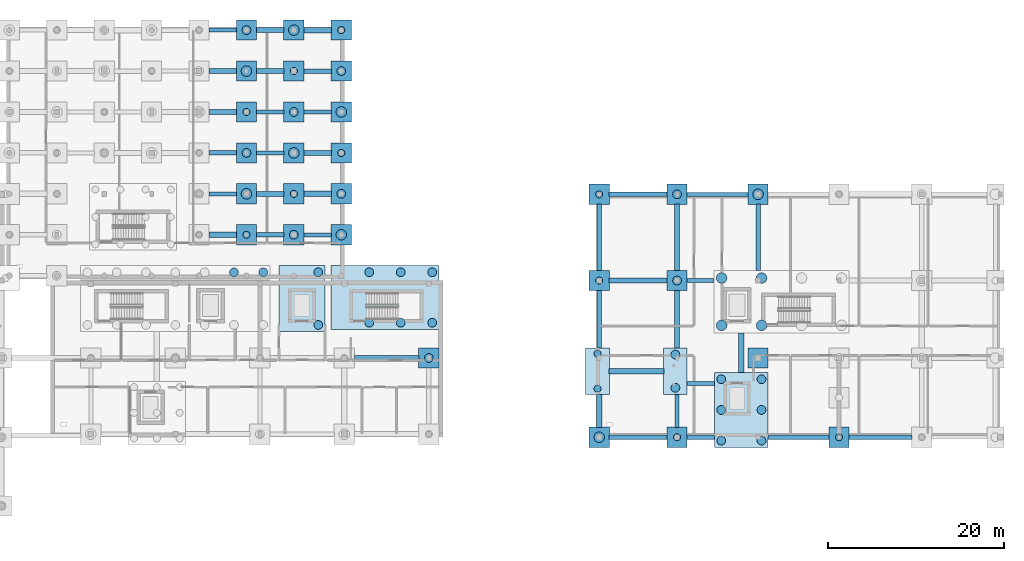
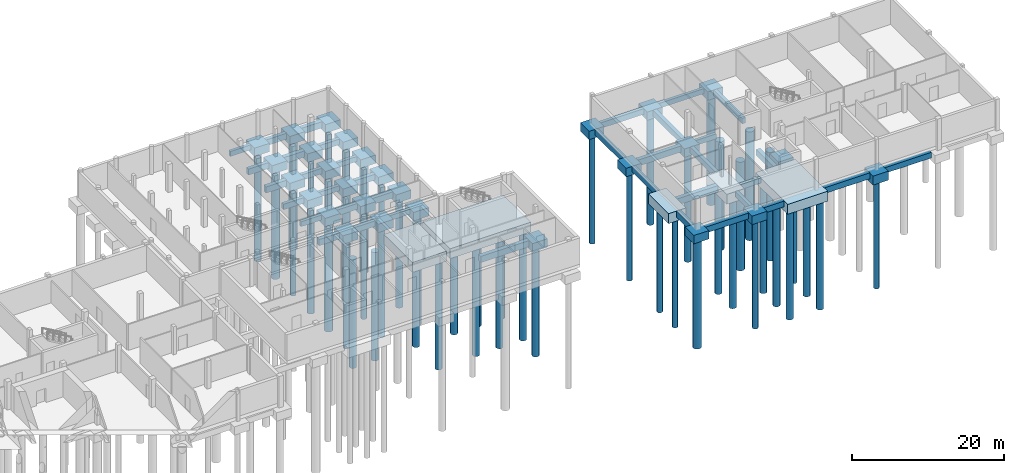
# One storey, part 3 of 14: 70 footings, 51 piles.
"""IFC4 building model written with IfcOpenShell, lengths in metres."""

import ifcopenshell
import ifcopenshell.guid

model = None  # the IFC model being written
_history = None  # IfcOwnerHistory: only IFC2X3 demands one
_inside = {}  # id of a spatial element -> (the spatial element, [elements in it])
_under = {}  # id of a project, library or spatial element -> (it, [spatial elements below it])
_declared = {}  # id of a project -> (the project, [libraries it declares])
_typed = {}  # id of a type object -> (the type object, [elements of that type])
_made_of = {}  # id of a material, layer set ... -> (it, [elements and type objects made of it])


def new_model(schema):
    """Start an empty IFC model of exactly this schema.

    Asked for "IFC4X3", IfcOpenShell would pick the latest addendum, in which some entities
    have other attributes; the version numbers below select the first issue.
    IFC2X3 requires an IfcOwnerHistory on every rooted entity: one is made here for all.
    """
    global model, _history
    if schema == "IFC4X3":
        model = ifcopenshell.file(schema_version=(4, 3, 0, 0))
    else:
        model = ifcopenshell.file(schema=schema)
    _inside.clear()
    _under.clear()
    _declared.clear()
    _typed.clear()
    _made_of.clear()
    _history = None
    if model.schema == "IFC2X3":
        org = make("IfcOrganization", Name="unknown")
        user = make(
            "IfcPersonAndOrganization",
            ThePerson=make("IfcPerson", FamilyName="unknown"),
            TheOrganization=org,
        )
        app = make(
            "IfcApplication",
            ApplicationDeveloper=org,
            Version="unknown",
            ApplicationFullName="unknown",
            ApplicationIdentifier="unknown",
        )
        _history = make(
            "IfcOwnerHistory",
            OwningUser=user,
            OwningApplication=app,
            ChangeAction="ADDED",
            CreationDate=0,
        )
    return model


def make(cls, **values):
    """One entity of the class cls with the attributes given. An attribute that is None is left unset."""
    return model.create_entity(
        cls, **{name: value for name, value in values.items() if value is not None}
    )


def rooted(cls, **values):
    """An entity with a GlobalId (a new one), such as an element, a storey or a relation."""
    return make(cls, GlobalId=ifcopenshell.guid.new(), OwnerHistory=_history, **values)


def si_unit(unit_type, name, prefix=None):
    """IfcSIUnit, for example si_unit("LENGTHUNIT", "METRE", prefix="MILLI")."""
    return make("IfcSIUnit", UnitType=unit_type, Prefix=prefix, Name=name)


def assignment(units):
    """IfcUnitAssignment: the units of a project."""
    return None if units is None else make("IfcUnitAssignment", Units=units)


def point(xyz):
    """IfcCartesianPoint."""
    return None if xyz is None else make("IfcCartesianPoint", Coordinates=xyz)


def direction(xyz):
    """IfcDirection."""
    return None if xyz is None else make("IfcDirection", DirectionRatios=xyz)


def frame(location, z_axis=None, x_axis=None):
    """IfcAxis2Placement3D, a coordinate frame: its origin and axes. An axis left out is left unset."""
    return make(
        "IfcAxis2Placement3D",
        Location=point(location),
        Axis=direction(z_axis),
        RefDirection=direction(x_axis),
    )


def frame_2d(location, x_axis=None):
    """IfcAxis2Placement2D, a coordinate frame in the plane: its origin and x axis."""
    return make(
        "IfcAxis2Placement2D", Location=point(location), RefDirection=direction(x_axis)
    )


def origin():
    """The frame at (0, 0, 0) with its axes left unset."""
    return frame((0.0, 0.0, 0.0))


def origin_2d():
    """The frame at (0, 0) in the plane with its x axis left unset."""
    return frame_2d((0.0, 0.0))


def place(relative_to, where):
    """IfcLocalPlacement: puts the frame where relative to a parent placement (None: the world)."""
    return make(
        "IfcLocalPlacement", PlacementRelTo=relative_to, RelativePlacement=where
    )


def context(
    kind, dimensions, precision=None, world=None, true_north=None, identifier=None
):
    """IfcGeometricRepresentationContext, for example the 3D "Model" context."""
    return make(
        "IfcGeometricRepresentationContext",
        ContextIdentifier=identifier,
        ContextType=kind,
        CoordinateSpaceDimension=dimensions,
        Precision=precision,
        WorldCoordinateSystem=world,
        TrueNorth=true_north,
    )


def subcontext(parent, identifier, kind, view, scale=None):
    """IfcGeometricRepresentationSubContext, for example "Body" below "Model"."""
    return make(
        "IfcGeometricRepresentationSubContext",
        ContextIdentifier=identifier,
        ContextType=kind,
        ParentContext=parent,
        TargetScale=scale,
        TargetView=view,
    )


def project(units=None, contexts=None):
    """IfcProject with its units and contexts."""
    return rooted(
        "IfcProject",
        Name="project",
        RepresentationContexts=contexts,
        UnitsInContext=assignment(units),
    )


def spatial(cls, under=None, at=None, **own):
    """A site, building, storey or space (cls), placed at a placement, below another one or the project."""
    s = rooted(cls, ObjectPlacement=at, **own)
    if under is not None:
        _under.setdefault(under.id(), (under, []))[1].append(s)
    return s


def profile(cls, at=None, kind="AREA", **sizes):
    """A parametric profile (cls). Its sizes go by their IFC names, for example OverallWidth=200.0."""
    return make(cls, ProfileType=kind, Position=at, **sizes)


def rectangle(**sizes):
    """IfcRectangleProfileDef."""
    return profile("IfcRectangleProfileDef", **sizes)


def circle(**sizes):
    """IfcCircleProfileDef."""
    return profile("IfcCircleProfileDef", **sizes)


def extrude(swept, where, along, depth):
    """IfcExtrudedAreaSolid: the profile swept, set in the frame where, extruded along a direction by depth."""
    return make(
        "IfcExtrudedAreaSolid",
        SweptArea=swept,
        Position=where,
        ExtrudedDirection=direction(along),
        Depth=depth,
    )


def shape(context_of_items, identifier, shape_type, items):
    """IfcShapeRepresentation: the items that make up one representation, for example the "Body"."""
    return make(
        "IfcShapeRepresentation",
        ContextOfItems=context_of_items,
        RepresentationIdentifier=identifier,
        RepresentationType=shape_type,
        Items=items,
    )


def material(Name=None, Category=None):
    """IfcMaterial."""
    return make("IfcMaterial", Name=Name, Category=Category)


def material_profile(
    of_material, cross_section, Name=None, Category=None, Priority=None
):
    """IfcMaterialProfile: a cross section and its material."""
    return make(
        "IfcMaterialProfile",
        Name=Name,
        Material=of_material,
        Profile=cross_section,
        Priority=Priority,
        Category=Category,
    )


def profile_set(profiles, Name=None, composite=None):
    """IfcMaterialProfileSet."""
    return make(
        "IfcMaterialProfileSet",
        Name=Name,
        MaterialProfiles=profiles,
        CompositeProfile=composite,
    )


def made_of(thing, what):
    """Note that an element or type object is made of a material, layer set ...; save() writes the relation."""
    if what is not None:
        _made_of.setdefault(what.id(), (what, []))[1].append(thing)
    return thing


def type_object(cls, material=None, **own):
    """A type object (cls), such as IfcWallType, which elements share."""
    return made_of(rooted(cls, **own), material)


def element(
    cls,
    number,
    at=None,
    inside=None,
    cuts=None,
    type_object=None,
    material=None,
    context=None,
    identifier="Body",
    shape_type=None,
    held_by="IfcProductDefinitionShape",
    body=None,
    shapes=None,
    **own,
):
    """One element of the class cls, such as IfcWall. Its Tag is "e" and its number.

    at: its placement. inside: the storey or other place that contains it. cuts: it is an
    opening in that element (IfcRelVoidsElement). A single representation is given by context,
    identifier, shape_type and body (its items); several are given by shapes. held_by: the class
    of the entity that holds the representations. save() writes the other relations.
    """
    e = rooted(cls, Tag="e%d" % number, ObjectPlacement=at, **own)
    if body is not None:
        shapes = [shape(context, identifier, shape_type, body)]
    if shapes is not None:
        e.Representation = make(held_by, Representations=shapes)
    if inside is not None:
        _inside.setdefault(inside.id(), (inside, []))[1].append(e)
    if cuts is not None:
        rooted(
            "IfcRelVoidsElement", RelatingBuildingElement=cuts, RelatedOpeningElement=e
        )
    if type_object is not None:
        _typed.setdefault(type_object.id(), (type_object, []))[1].append(e)
    return made_of(e, material)


def aggregate(whole, parts):
    """IfcRelAggregates: a whole, such as a stair, and the parts it consists of."""
    return rooted("IfcRelAggregates", RelatingObject=whole, RelatedObjects=parts)


def save(model, path):
    """Write the relations noted so far, then the file.

    IfcRelAggregates (storeys below a building ...), IfcRelContainedInSpatialStructure (elements
    in a storey), IfcRelDefinesByType, IfcRelAssociatesMaterial and IfcRelDeclares: one each for
    every whole, place, type object, material and project.
    """
    for whole, parts in _under.values():
        aggregate(whole, parts)
    for where, things in _inside.values():
        rooted(
            "IfcRelContainedInSpatialStructure",
            RelatedElements=things,
            RelatingStructure=where,
        )
    for kind, things in _typed.values():
        rooted("IfcRelDefinesByType", RelatedObjects=things, RelatingType=kind)
    for what, things in _made_of.values():
        rooted("IfcRelAssociatesMaterial", RelatedObjects=things, RelatingMaterial=what)
    for by, libraries in _declared.values():
        rooted("IfcRelDeclares", RelatingContext=by, RelatedDefinitions=libraries)
    model.write(path)


model = new_model("IFC4")

# Units and contexts
model_context = context("Model", 3, precision=1e-05, world=origin(), true_north=direction((0.0, 1.0)))
body_context = subcontext(model_context, "Body", "Model", "MODEL_VIEW")
ifc_project = project(units=[si_unit("LENGTHUNIT", "METRE"), si_unit("AREAUNIT", "SQUARE_METRE"), si_unit("VOLUMEUNIT", "CUBIC_METRE"), si_unit("PLANEANGLEUNIT", "RADIAN"), si_unit("MASSUNIT", "GRAM", prefix="KILO")], contexts=[model_context])

# Site, building, storey
site_placement = place(None, origin())
site = spatial("IfcSite", under=ifc_project, at=site_placement, CompositionType="ELEMENT")
building_placement = place(site_placement, origin())
building = spatial("IfcBuilding", under=site, at=building_placement, Name="Birchvale Park Specialist Clinic", CompositionType="ELEMENT")
storey_placement = place(building_placement, frame((0.0, 0.0, -4.5)))
storey = spatial("IfcBuildingStorey", under=building, at=storey_placement, Name="B1", CompositionType="ELEMENT", Elevation=-4.5)

# Footings
ifc_material = material(Name="Concrete C40/50", Category="concrete")
footing_type_1 = type_object("IfcFootingType", Name="FTB-1", PredefinedType="FOOTING_BEAM", material=ifc_material)
footing_1_placement = place(storey_placement, frame((130.699951171875, 16.800048828125, -1.449951171875), z_axis=(0.0, 0.0, 1.0), x_axis=(1.0, 0.0, 0.0)))
element("IfcFooting", 1, at=footing_1_placement, inside=storey, type_object=footing_type_1, Name="B1 foundation tie beam 25", PredefinedType="FOOTING_BEAM", context=body_context, shape_type="SweptSolid", body=[
    extrude(rectangle(XDim=3.139892578125, YDim=0.5, at=origin_2d()), origin(), (0.0, 0.0, 1.0), 0.89990234375),
])
footing_2_placement = place(storey_placement, frame((151.10009765625, 16.800048828125, -1.449951171875), z_axis=(0.0, 0.0, 1.0), x_axis=(1.0, 0.0, 0.0)))
element("IfcFooting", 2, at=footing_2_placement, inside=storey, type_object=footing_type_1, Name="B1 foundation tie beam 29", PredefinedType="FOOTING_BEAM", context=body_context, shape_type="SweptSolid", body=[
    extrude(rectangle(XDim=7.139892578125, YDim=0.5, at=origin_2d()), origin(), (0.0, 0.0, 1.0), 0.89990234375),
])
footing_3_placement = place(storey_placement, frame((119.14990234375, 30.199951171875, -1.449951171875), z_axis=(0.0, 0.0, 1.0), x_axis=(1.0, 0.0, 0.0)))
element("IfcFooting", 3, at=footing_3_placement, inside=storey, type_object=footing_type_1, Name="B1 foundation tie beam 45", PredefinedType="FOOTING_BEAM", context=body_context, shape_type="SweptSolid", body=[
    extrude(rectangle(XDim=0.5, YDim=6.5400390625, at=origin_2d()), origin(), (0.0, 0.0, 1.0), 0.89990234375),
])
for number, where, z_axis, x_axis, name in (
    (4, (137.199951171875, 39.5, -1.449951171875), (0.0, 0.0, 1.0), (1.0, 0.0, 0.0), "B1 foundation tie beam 69"),
    (5, (119.14990234375, 39.5, -1.449951171875), (0.0, 0.0, 1.0), (1.0, 0.0, 0.0), "B1 foundation tie beam 77"),
):
    element("IfcFooting", number, at=place(storey_placement, frame(where, z_axis=z_axis, x_axis=x_axis)), inside=storey, type_object=footing_type_1, Name=name, PredefinedType="FOOTING_BEAM", context=body_context, shape_type="SweptSolid", body=[
        extrude(rectangle(XDim=0.5, YDim=7.5400390625, at=origin_2d()), origin(), (0.0, 0.0, 1.0), 0.89990234375),
    ])
footing_4_placement = place(storey_placement, frame((81.771484375, 39.800048828125, -1.449951171875), z_axis=(0.0, 0.0, 1.0), x_axis=(1.0, 0.0, 0.0)))
element("IfcFooting", 6, at=footing_4_placement, inside=storey, type_object=footing_type_1, Name="B1 foundation tie beam 85", PredefinedType="FOOTING_BEAM", context=body_context, shape_type="SweptSolid", body=[
    extrude(rectangle(XDim=3.125, YDim=0.5, at=origin_2d()), origin(), (0.0, 0.0, 1.0), 0.89990234375),
])
footing_5_placement = place(storey_placement, frame((123.574951171875, 44.39990234375, -1.449951171875), z_axis=(0.0, 0.0, 1.0), x_axis=(1.0, 0.0, 0.0)))
element("IfcFooting", 7, at=footing_5_placement, inside=storey, type_object=footing_type_1, Name="B1 foundation tie beam 93", PredefinedType="FOOTING_BEAM", context=body_context, shape_type="SweptSolid", body=[
    extrude(rectangle(XDim=6.590087890625, YDim=0.5, at=origin_2d()), origin(), (0.0, 0.0, 1.0), 0.89990234375),
])
footing_6_placement = place(storey_placement, frame((76.385986328125, 49.10009765625, -1.449951171875), z_axis=(0.0, 0.0, 1.0), x_axis=(1.0, 0.0, 0.0)))
element("IfcFooting", 8, at=footing_6_placement, inside=storey, type_object=footing_type_1, Name="B1 foundation tie beam 105", PredefinedType="FOOTING_BEAM", context=body_context, shape_type="SweptSolid", body=[
    extrude(rectangle(XDim=3.1259765625, YDim=0.5, at=origin_2d()), origin(), (0.0, 0.0, 1.0), 0.89990234375),
])
footing_7_placement = place(storey_placement, frame((81.771484375, 53.75, -1.449951171875), z_axis=(0.0, 0.0, 1.0), x_axis=(1.0, 0.0, 0.0)))
element("IfcFooting", 9, at=footing_7_placement, inside=storey, type_object=footing_type_1, Name="B1 foundation tie beam 113", PredefinedType="FOOTING_BEAM", context=body_context, shape_type="SweptSolid", body=[
    extrude(rectangle(XDim=3.125, YDim=0.5, at=origin_2d()), origin(), (0.0, 0.0, 1.0), 0.89990234375),
])
footing_8_placement = place(storey_placement, frame((87.156982421875, 58.39990234375, -1.449951171875), z_axis=(0.0, 0.0, 1.0), x_axis=(1.0, 0.0, 0.0)))
element("IfcFooting", 10, at=footing_8_placement, inside=storey, type_object=footing_type_1, Name="B1 foundation tie beam 121", PredefinedType="FOOTING_BEAM", context=body_context, shape_type="SweptSolid", body=[
    extrude(rectangle(XDim=3.1259765625, YDim=0.5, at=origin_2d()), origin(), (0.0, 0.0, 1.0), 0.89990234375),
])
footing_type_2 = type_object("IfcFootingType", Name="FTB-2", PredefinedType="FOOTING_BEAM", material=ifc_material)
footing_9_placement = place(storey_placement, frame((128.0, 19.800048828125, -1.35009765625), z_axis=(0.0, 0.0, 1.0), x_axis=(1.0, 0.0, 0.0)))
element("IfcFooting", 11, at=footing_9_placement, inside=storey, type_object=footing_type_2, Name="B1 foundation tie beam 26", PredefinedType="FOOTING_BEAM", context=body_context, shape_type="SweptSolid", body=[
    extrude(rectangle(XDim=0.449951171875, YDim=3.739990234375, at=origin_2d()), origin(), (0.0, 0.0, 1.0), 0.800048828125),
])
footing_10_placement = place(storey_placement, frame((130.699951171875, 22.89990234375, -1.35009765625), z_axis=(0.0, 0.0, 1.0), x_axis=(1.0, 0.0, 0.0)))
element("IfcFooting", 12, at=footing_10_placement, inside=storey, type_object=footing_type_2, Name="B1 foundation tie beam 46", PredefinedType="FOOTING_BEAM", context=body_context, shape_type="SweptSolid", body=[
    extrude(rectangle(XDim=3.139892578125, YDim=0.449951171875, at=origin_2d()), origin(), (0.0, 0.0, 1.0), 0.800048828125),
])
footing_11_placement = place(storey_placement, frame((130.675048828125, 34.60009765625, -1.35009765625), z_axis=(0.0, 0.0, 1.0), x_axis=(1.0, 0.0, 0.0)))
element("IfcFooting", 13, at=footing_11_placement, inside=storey, type_object=footing_type_2, Name="B1 foundation tie beam 78", PredefinedType="FOOTING_BEAM", context=body_context, shape_type="SweptSolid", body=[
    extrude(rectangle(XDim=3.090087890625, YDim=0.449951171875, at=origin_2d()), origin(), (0.0, 0.0, 1.0), 0.800048828125),
])
footing_12_placement = place(storey_placement, frame((87.156982421875, 39.800048828125, -1.35009765625), z_axis=(0.0, 0.0, 1.0), x_axis=(1.0, 0.0, 0.0)))
element("IfcFooting", 14, at=footing_12_placement, inside=storey, type_object=footing_type_2, Name="B1 foundation tie beam 86", PredefinedType="FOOTING_BEAM", context=body_context, shape_type="SweptSolid", body=[
    extrude(rectangle(XDim=3.1259765625, YDim=0.449951171875, at=origin_2d()), origin(), (0.0, 0.0, 1.0), 0.800048828125),
])
footing_13_placement = place(storey_placement, frame((132.60009765625, 44.39990234375, -1.35009765625), z_axis=(0.0, 0.0, 1.0), x_axis=(1.0, 0.0, 0.0)))
element("IfcFooting", 15, at=footing_13_placement, inside=storey, type_object=footing_type_2, Name="B1 foundation tie beam 94", PredefinedType="FOOTING_BEAM", context=body_context, shape_type="SweptSolid", body=[
    extrude(rectangle(XDim=6.93994140625, YDim=0.449951171875, at=origin_2d()), origin(), (0.0, 0.0, 1.0), 0.800048828125),
])
footing_14_placement = place(storey_placement, frame((76.385986328125, 44.449951171875, -1.35009765625), z_axis=(0.0, 0.0, 1.0), x_axis=(1.0, 0.0, 0.0)))
element("IfcFooting", 16, at=footing_14_placement, inside=storey, type_object=footing_type_2, Name="B1 foundation tie beam 98", PredefinedType="FOOTING_BEAM", context=body_context, shape_type="SweptSolid", body=[
    extrude(rectangle(XDim=3.1259765625, YDim=0.449951171875, at=origin_2d()), origin(), (0.0, 0.0, 1.0), 0.800048828125),
])
footing_15_placement = place(storey_placement, frame((81.771484375, 49.10009765625, -1.35009765625), z_axis=(0.0, 0.0, 1.0), x_axis=(1.0, 0.0, 0.0)))
element("IfcFooting", 17, at=footing_15_placement, inside=storey, type_object=footing_type_2, Name="B1 foundation tie beam 106", PredefinedType="FOOTING_BEAM", context=body_context, shape_type="SweptSolid", body=[
    extrude(rectangle(XDim=3.125, YDim=0.449951171875, at=origin_2d()), origin(), (0.0, 0.0, 1.0), 0.800048828125),
])
for number, where, z_axis, x_axis, name in (
    (18, (87.156982421875, 53.75, -1.35009765625), (0.0, 0.0, 1.0), (1.0, 0.0, 0.0), "B1 foundation tie beam 114"),
    (19, (76.385986328125, 63.050048828125, -1.35009765625), (0.0, 0.0, 1.0), (1.0, 0.0, 0.0), "B1 foundation tie beam 126"),
):
    element("IfcFooting", number, at=place(storey_placement, frame(where, z_axis=z_axis, x_axis=x_axis)), inside=storey, type_object=footing_type_2, Name=name, PredefinedType="FOOTING_BEAM", context=body_context, shape_type="SweptSolid", body=[
        extrude(rectangle(XDim=3.1259765625, YDim=0.449951171875, at=origin_2d()), origin(), (0.0, 0.0, 1.0), 0.800048828125),
    ])
footing_type_3 = type_object("IfcFootingType", Name="FTB-3", PredefinedType="FOOTING_BEAM", material=ifc_material)
footing_16_placement = place(storey_placement, frame((123.574951171875, 16.800048828125, -1.5), z_axis=(0.0, 0.0, 1.0), x_axis=(1.0, 0.0, 0.0)))
element("IfcFooting", 20, at=footing_16_placement, inside=storey, type_object=footing_type_3, Name="B1 foundation tie beam 23", PredefinedType="FOOTING_BEAM", context=body_context, shape_type="SweptSolid", body=[
    extrude(rectangle(XDim=6.590087890625, YDim=0.550048828125, at=origin_2d()), origin(), (0.0, 0.0, 1.0), 0.949951171875),
])
footing_17_placement = place(storey_placement, frame((141.800048828125, 16.800048828125, -1.5), z_axis=(0.0, 0.0, 1.0), x_axis=(1.0, 0.0, 0.0)))
element("IfcFooting", 21, at=footing_17_placement, inside=storey, type_object=footing_type_3, Name="B1 foundation tie beam 27", PredefinedType="FOOTING_BEAM", context=body_context, shape_type="SweptSolid", body=[
    extrude(rectangle(XDim=6.93994140625, YDim=0.550048828125, at=origin_2d()), origin(), (0.0, 0.0, 1.0), 0.949951171875),
])
footing_18_placement = place(storey_placement, frame((128.0, 30.199951171875, -1.5), z_axis=(0.0, 0.0, 1.0), x_axis=(1.0, 0.0, 0.0)))
element("IfcFooting", 22, at=footing_18_placement, inside=storey, type_object=footing_type_3, Name="B1 foundation tie beam 47", PredefinedType="FOOTING_BEAM", context=body_context, shape_type="SweptSolid", body=[
    extrude(rectangle(XDim=0.550048828125, YDim=6.5400390625, at=origin_2d()), origin(), (0.0, 0.0, 1.0), 0.949951171875),
])
footing_19_placement = place(storey_placement, frame((128.0, 39.5, -1.5), z_axis=(0.0, 0.0, 1.0), x_axis=(1.0, 0.0, 0.0)))
element("IfcFooting", 23, at=footing_19_placement, inside=storey, type_object=footing_type_3, Name="B1 foundation tie beam 79", PredefinedType="FOOTING_BEAM", context=body_context, shape_type="SweptSolid", body=[
    extrude(rectangle(XDim=0.550048828125, YDim=7.5400390625, at=origin_2d()), origin(), (0.0, 0.0, 1.0), 0.949951171875),
])
footing_20_placement = place(storey_placement, frame((81.771484375, 44.449951171875, -1.5), z_axis=(0.0, 0.0, 1.0), x_axis=(1.0, 0.0, 0.0)))
element("IfcFooting", 24, at=footing_20_placement, inside=storey, type_object=footing_type_3, Name="B1 foundation tie beam 99", PredefinedType="FOOTING_BEAM", context=body_context, shape_type="SweptSolid", body=[
    extrude(rectangle(XDim=3.125, YDim=0.550048828125, at=origin_2d()), origin(), (0.0, 0.0, 1.0), 0.949951171875),
])
for number, where, z_axis, x_axis, name in (
    (25, (87.156982421875, 49.10009765625, -1.5), (0.0, 0.0, 1.0), (1.0, 0.0, 0.0), "B1 foundation tie beam 107"),
    (26, (76.385986328125, 58.39990234375, -1.5), (0.0, 0.0, 1.0), (1.0, 0.0, 0.0), "B1 foundation tie beam 119"),
):
    element("IfcFooting", number, at=place(storey_placement, frame(where, z_axis=z_axis, x_axis=x_axis)), inside=storey, type_object=footing_type_3, Name=name, PredefinedType="FOOTING_BEAM", context=body_context, shape_type="SweptSolid", body=[
        extrude(rectangle(XDim=3.1259765625, YDim=0.550048828125, at=origin_2d()), origin(), (0.0, 0.0, 1.0), 0.949951171875),
    ])
footing_21_placement = place(storey_placement, frame((81.771484375, 63.050048828125, -1.5), z_axis=(0.0, 0.0, 1.0), x_axis=(1.0, 0.0, 0.0)))
element("IfcFooting", 27, at=footing_21_placement, inside=storey, type_object=footing_type_3, Name="B1 foundation tie beam 127", PredefinedType="FOOTING_BEAM", context=body_context, shape_type="SweptSolid", body=[
    extrude(rectangle(XDim=3.125, YDim=0.550048828125, at=origin_2d()), origin(), (0.0, 0.0, 1.0), 0.949951171875),
])
footing_type_4 = type_object("IfcFootingType", Name="FTB-4", PredefinedType="FOOTING_BEAM", material=ifc_material)
footing_22_placement = place(storey_placement, frame((119.14990234375, 19.800048828125, -1.550048828125), z_axis=(0.0, 0.0, 1.0), x_axis=(1.0, 0.0, 0.0)))
element("IfcFooting", 28, at=footing_22_placement, inside=storey, type_object=footing_type_4, Name="B1 foundation tie beam 24", PredefinedType="FOOTING_BEAM", context=body_context, shape_type="SweptSolid", body=[
    extrude(rectangle(XDim=0.60009765625, YDim=3.739990234375, at=origin_2d()), origin(), (0.0, 0.0, 1.0), 1.0),
])
footing_23_placement = place(storey_placement, frame((135.300048828125, 26.39990234375, -1.550048828125), z_axis=(0.0, 0.0, 1.0), x_axis=(1.0, 0.0, 0.0)))
element("IfcFooting", 29, at=footing_23_placement, inside=storey, type_object=footing_type_4, Name="B1 foundation tie beam 28", PredefinedType="FOOTING_BEAM", context=body_context, shape_type="SweptSolid", body=[
    extrude(rectangle(XDim=0.60009765625, YDim=4.5400390625, at=origin_2d()), origin(), (0.0, 0.0, 1.0), 1.0),
])
footing_24_placement = place(storey_placement, frame((123.385009765625, 24.300048828125, -1.550048828125), z_axis=(0.0, 0.0, 1.0), x_axis=(1.0, 0.0, 0.0)))
element("IfcFooting", 30, at=footing_24_placement, inside=storey, type_object=footing_type_4, Name="B1 foundation tie beam 44", PredefinedType="FOOTING_BEAM", context=body_context, shape_type="SweptSolid", body=[
    extrude(rectangle(XDim=6.2099609375, YDim=0.60009765625, at=origin_2d()), origin(), (0.0, 0.0, 1.0), 1.0),
])
footing_25_placement = place(storey_placement, frame((95.0, 25.800048828125, -1.550048828125), z_axis=(0.0, 0.0, 1.0), x_axis=(1.0, 0.0, 0.0)))
element("IfcFooting", 31, at=footing_25_placement, inside=storey, type_object=footing_type_4, Name="B1 foundation tie beam 60", PredefinedType="FOOTING_BEAM", context=body_context, shape_type="SweptSolid", body=[
    extrude(rectangle(XDim=7.340087890625, YDim=0.60009765625, at=origin_2d()), origin(), (0.0, 0.0, 1.0), 1.0),
])
footing_26_placement = place(storey_placement, frame((123.574951171875, 34.60009765625, -1.550048828125), z_axis=(0.0, 0.0, 1.0), x_axis=(1.0, 0.0, 0.0)))
element("IfcFooting", 32, at=footing_26_placement, inside=storey, type_object=footing_type_4, Name="B1 foundation tie beam 76", PredefinedType="FOOTING_BEAM", context=body_context, shape_type="SweptSolid", body=[
    extrude(rectangle(XDim=6.590087890625, YDim=0.60009765625, at=origin_2d()), origin(), (0.0, 0.0, 1.0), 1.0),
])
for number, where, z_axis, x_axis, name in (
    (33, (76.385986328125, 39.800048828125, -1.550048828125), (0.0, 0.0, 1.0), (1.0, 0.0, 0.0), "B1 foundation tie beam 84"),
    (34, (87.156982421875, 44.449951171875, -1.550048828125), (0.0, 0.0, 1.0), (1.0, 0.0, 0.0), "B1 foundation tie beam 100"),
    (35, (76.385986328125, 53.75, -1.550048828125), (0.0, 0.0, 1.0), (1.0, 0.0, 0.0), "B1 foundation tie beam 112"),
):
    element("IfcFooting", number, at=place(storey_placement, frame(where, z_axis=z_axis, x_axis=x_axis)), inside=storey, type_object=footing_type_4, Name=name, PredefinedType="FOOTING_BEAM", context=body_context, shape_type="SweptSolid", body=[
        extrude(rectangle(XDim=3.1259765625, YDim=0.60009765625, at=origin_2d()), origin(), (0.0, 0.0, 1.0), 1.0),
    ])
footing_27_placement = place(storey_placement, frame((81.771484375, 58.39990234375, -1.550048828125), z_axis=(0.0, 0.0, 1.0), x_axis=(1.0, 0.0, 0.0)))
element("IfcFooting", 36, at=footing_27_placement, inside=storey, type_object=footing_type_4, Name="B1 foundation tie beam 120", PredefinedType="FOOTING_BEAM", context=body_context, shape_type="SweptSolid", body=[
    extrude(rectangle(XDim=3.125, YDim=0.60009765625, at=origin_2d()), origin(), (0.0, 0.0, 1.0), 1.0),
])
footing_28_placement = place(storey_placement, frame((87.156982421875, 63.050048828125, -1.550048828125), z_axis=(0.0, 0.0, 1.0), x_axis=(1.0, 0.0, 0.0)))
element("IfcFooting", 37, at=footing_28_placement, inside=storey, type_object=footing_type_4, Name="B1 foundation tie beam 128", PredefinedType="FOOTING_BEAM", context=body_context, shape_type="SweptSolid", body=[
    extrude(rectangle(XDim=3.1259765625, YDim=0.60009765625, at=origin_2d()), origin(), (0.0, 0.0, 1.0), 1.0),
])
footing_type_5 = type_object("IfcFootingType", Name="FTG-PC-01", PredefinedType="PILE_CAP", material=ifc_material)
for number, where, z_axis, x_axis, name in (
    (38, (119.14990234375, 16.800048828125, -1.900146484375), (0.0, 0.0, 1.0), (1.0, 0.0, 0.0), "B1 pile cap 13"),
    (39, (128.0, 16.800048828125, -1.900146484375), (0.0, 0.0, 1.0), (1.0, 0.0, 0.0), "B1 pile cap 14"),
    (40, (99.800048828125, 25.800048828125, -1.900146484375), (0.0, 0.0, 1.0), (1.0, 0.0, 0.0), "B1 pile cap 39"),
    (41, (137.199951171875, 25.800048828125, -1.900146484375), (0.0, 0.0, 1.0), (1.0, 0.0, 0.0), "B1 pile cap 40"),
    (42, (119.14990234375, 34.60009765625, -1.900146484375), (0.0, 0.0, 1.0), (1.0, 0.0, 0.0), "B1 pile cap 53"),
    (43, (128.0, 34.60009765625, -1.900146484375), (0.0, 0.0, 1.0), (1.0, 0.0, 0.0), "B1 pile cap 54"),
    (44, (79.0791015625, 39.800048828125, -1.900146484375), (0.0, 0.0, 1.0), (1.0, 0.0, 0.0), "B1 pile cap 62"),
    (45, (84.464111328125, 39.800048828125, -1.900146484375), (0.0, 0.0, 1.0), (1.0, 0.0, 0.0), "B1 pile cap 63"),
    (46, (89.85009765625, 39.800048828125, -1.900146484375), (0.0, 0.0, 1.0), (1.0, 0.0, 0.0), "B1 pile cap 64"),
    (47, (119.14990234375, 44.39990234375, -1.900146484375), (0.0, 0.0, 1.0), (1.0, 0.0, 0.0), "B1 pile cap 71"),
    (48, (128.0, 44.39990234375, -1.900146484375), (0.0, 0.0, 1.0), (1.0, 0.0, 0.0), "B1 pile cap 72"),
    (49, (137.199951171875, 44.39990234375, -1.900146484375), (0.0, 0.0, 1.0), (1.0, 0.0, 0.0), "B1 pile cap 73"),
    (50, (79.0791015625, 44.449951171875, -1.900146484375), (0.0, 0.0, 1.0), (1.0, 0.0, 0.0), "B1 pile cap 79"),
    (51, (84.464111328125, 44.449951171875, -1.900146484375), (0.0, 0.0, 1.0), (1.0, 0.0, 0.0), "B1 pile cap 80"),
    (52, (89.85009765625, 44.449951171875, -1.900146484375), (0.0, 0.0, 1.0), (1.0, 0.0, 0.0), "B1 pile cap 81"),
    (53, (79.0791015625, 49.10009765625, -1.900146484375), (0.0, 0.0, 1.0), (1.0, 0.0, 0.0), "B1 pile cap 87"),
    (54, (84.464111328125, 49.10009765625, -1.900146484375), (0.0, 0.0, 1.0), (1.0, 0.0, 0.0), "B1 pile cap 88"),
    (55, (89.85009765625, 49.10009765625, -1.900146484375), (0.0, 0.0, 1.0), (1.0, 0.0, 0.0), "B1 pile cap 89"),
    (56, (79.0791015625, 53.75, -1.900146484375), (0.0, 0.0, 1.0), (1.0, 0.0, 0.0), "B1 pile cap 95"),
    (57, (84.464111328125, 53.75, -1.900146484375), (0.0, 0.0, 1.0), (1.0, 0.0, 0.0), "B1 pile cap 96"),
    (58, (89.85009765625, 53.75, -1.900146484375), (0.0, 0.0, 1.0), (1.0, 0.0, 0.0), "B1 pile cap 97"),
    (59, (79.0791015625, 58.39990234375, -1.900146484375), (0.0, 0.0, 1.0), (1.0, 0.0, 0.0), "B1 pile cap 103"),
    (60, (84.464111328125, 58.39990234375, -1.900146484375), (0.0, 0.0, 1.0), (1.0, 0.0, 0.0), "B1 pile cap 104"),
    (61, (89.85009765625, 58.39990234375, -1.900146484375), (0.0, 0.0, 1.0), (1.0, 0.0, 0.0), "B1 pile cap 105"),
    (62, (79.0791015625, 63.050048828125, -1.900146484375), (0.0, 0.0, 1.0), (1.0, 0.0, 0.0), "B1 pile cap 111"),
    (63, (84.464111328125, 63.050048828125, -1.900146484375), (0.0, 0.0, 1.0), (1.0, 0.0, 0.0), "B1 pile cap 112"),
    (64, (89.85009765625, 63.050048828125, -1.900146484375), (0.0, 0.0, 1.0), (1.0, 0.0, 0.0), "B1 pile cap 113"),
):
    element("IfcFooting", number, at=place(storey_placement, frame(where, z_axis=z_axis, x_axis=x_axis)), inside=storey, type_object=footing_type_5, Name=name, PredefinedType="PILE_CAP", context=body_context, shape_type="SweptSolid", body=[
        extrude(rectangle(XDim=2.300048828125, YDim=2.300048828125, at=origin_2d()), origin(), (0.0, 0.0, 1.0), 1.35009765625),
    ])
footing_type_6 = type_object("IfcFootingType", Name="FTG-PC-02", PredefinedType="PILE_CAP", material=ifc_material)
footing_29_placement = place(storey_placement, frame((146.39990234375, 16.800048828125, -2.0), z_axis=(0.0, 0.0, 1.0), x_axis=(1.0, 0.0, 0.0)))
element("IfcFooting", 65, at=footing_29_placement, inside=storey, type_object=footing_type_6, Name="B1 pile cap 16", PredefinedType="PILE_CAP", context=body_context, shape_type="SweptSolid", body=[
    extrude(rectangle(XDim=2.300048828125, YDim=2.300048828125, at=origin_2d()), origin(), (0.0, 0.0, 1.0), 1.449951171875),
])
footing_type_7 = type_object("IfcFootingType", Name="FTG-PC-03", PredefinedType="PILE_CAP", material=ifc_material)
footing_30_placement = place(storey_placement, frame((135.300048828125, 19.89990234375, -2.150146484375), z_axis=(0.0, 0.0, 1.0), x_axis=(1.0, 0.0, 0.0)))
element("IfcFooting", 66, at=footing_30_placement, inside=storey, type_object=footing_type_7, Name="B1 pile cap 15", PredefinedType="PILE_CAP", context=body_context, shape_type="SweptSolid", body=[
    extrude(rectangle(XDim=6.10009765625, YDim=8.5, at=origin_2d()), origin(), (0.0, 0.0, 1.0), 1.60009765625),
])
footing_type_8 = type_object("IfcFootingType", Name="FTG-PC-07", PredefinedType="PILE_CAP", material=ifc_material)
for number, where, z_axis, x_axis, name in (
    (67, (118.9599609375, 24.300048828125, -2.150146484375), (0.0, 0.0, 1.0), (1.0, 0.0, 0.0), "B1 pile cap 27"),
    (68, (127.81005859375, 24.300048828125, -2.150146484375), (0.0, 0.0, 1.0), (1.0, 0.0, 0.0), "B1 pile cap 28"),
):
    element("IfcFooting", number, at=place(storey_placement, frame(where, z_axis=z_axis, x_axis=x_axis)), inside=storey, type_object=footing_type_8, Name=name, PredefinedType="PILE_CAP", context=body_context, shape_type="SweptSolid", body=[
        extrude(rectangle(XDim=2.679931640625, YDim=5.300048828125, at=origin_2d()), origin(), (0.0, 0.0, 1.0), 1.60009765625),
    ])
footing_type_9 = type_object("IfcFootingType", Name="FTG-PC-12", PredefinedType="PILE_CAP", material=ifc_material)
footing_31_placement = place(storey_placement, frame((85.39990234375, 32.550048828125, -2.150146484375), z_axis=(0.0, 0.0, 1.0), x_axis=(1.0, 0.0, 0.0)))
element("IfcFooting", 69, at=footing_31_placement, inside=storey, type_object=footing_type_9, Name="B1 pile cap 48", PredefinedType="PILE_CAP", context=body_context, shape_type="SweptSolid", body=[
    extrude(rectangle(XDim=5.199951171875, YDim=7.5, at=origin_2d()), origin(), (0.0, 0.0, 1.0), 1.60009765625),
])
footing_type_10 = type_object("IfcFootingType", Name="FTG-PC-13", PredefinedType="PILE_CAP", material=ifc_material)
footing_32_placement = place(storey_placement, frame((94.824951171875, 32.675048828125, -2.150146484375), z_axis=(0.0, 0.0, 1.0), x_axis=(1.0, 0.0, 0.0)))
element("IfcFooting", 70, at=footing_32_placement, inside=storey, type_object=footing_type_10, Name="B1 pile cap 49", PredefinedType="PILE_CAP", context=body_context, shape_type="SweptSolid", body=[
    extrude(rectangle(XDim=12.25, YDim=7.25, at=origin_2d()), origin(), (0.0, 0.0, 1.0), 1.60009765625),
])

# Piles
ifc_material_profile_1 = material_profile(ifc_material, circle(Radius=0.39990234375, at=origin_2d()), Name="PILE-800")
ifc_profile_set_1 = profile_set([ifc_material_profile_1], Name="Concrete C40/50")
pile_type_1 = type_object("IfcPileType", Name="PILE-P1", PredefinedType="BORED", material=ifc_profile_set_1)
pile_1_placement = place(storey_placement, frame((128.0, 16.800048828125, -1.800048828125), z_axis=(0.0, 0.0, -1.0), x_axis=(1.0, 0.0, 0.0)))
element("IfcPile", 71, at=pile_1_placement, inside=storey, type_object=pile_type_1, Name="B1 bored pile 14 (P1)", PredefinedType="BORED", context=body_context, shape_type="SweptSolid", body=[
    extrude(circle(Radius=0.39990234375, at=origin_2d()), origin(), (0.0, 0.0, 1.0), 17.699951171875),
])
pile_2_placement = place(storey_placement, frame((146.39990234375, 16.800048828125, -1.89990234375), z_axis=(0.0, 0.0, -1.0), x_axis=(1.0, 0.0, 0.0)))
element("IfcPile", 72, at=pile_2_placement, inside=storey, type_object=pile_type_1, Name="B1 bored pile 21 (P1)", PredefinedType="BORED", context=body_context, shape_type="SweptSolid", body=[
    extrude(circle(Radius=0.39990234375, at=origin_2d()), origin(), (0.0, 0.0, 1.0), 17.60009765625),
])
for number, where, z_axis, x_axis, name in (
    (73, (118.9599609375, 22.31005859375, -2.050048828125), (0.0, 0.0, -1.0), (1.0, 0.0, 0.0), "B1 bored pile 42 (P1)"),
    (74, (118.9599609375, 26.2900390625, -2.050048828125), (0.0, 0.0, -1.0), (1.0, 0.0, 0.0), "B1 bored pile 43 (P1)"),
):
    element("IfcPile", number, at=place(storey_placement, frame(where, z_axis=z_axis, x_axis=x_axis)), inside=storey, type_object=pile_type_1, Name=name, PredefinedType="BORED", context=body_context, shape_type="SweptSolid", body=[
        extrude(circle(Radius=0.39990234375, at=origin_2d()), origin(), (0.0, 0.0, 1.0), 17.449951171875),
    ])
for number, where, z_axis, x_axis, name in (
    (75, (119.14990234375, 34.60009765625, -1.800048828125), (0.0, 0.0, -1.0), (1.0, 0.0, 0.0), "B1 bored pile 104 (P1)"),
    (76, (79.0791015625, 39.800048828125, -1.800048828125), (0.0, 0.0, -1.0), (1.0, 0.0, 0.0), "B1 bored pile 124 (P1)"),
    (77, (119.14990234375, 44.39990234375, -1.800048828125), (0.0, 0.0, -1.0), (1.0, 0.0, 0.0), "B1 bored pile 133 (P1)"),
    (78, (84.464111328125, 44.449951171875, -1.800048828125), (0.0, 0.0, -1.0), (1.0, 0.0, 0.0), "B1 bored pile 142 (P1)"),
    (79, (89.85009765625, 49.10009765625, -1.800048828125), (0.0, 0.0, -1.0), (1.0, 0.0, 0.0), "B1 bored pile 151 (P1)"),
    (80, (79.0791015625, 53.75, -1.800048828125), (0.0, 0.0, -1.0), (1.0, 0.0, 0.0), "B1 bored pile 157 (P1)"),
    (81, (84.464111328125, 58.39990234375, -1.800048828125), (0.0, 0.0, -1.0), (1.0, 0.0, 0.0), "B1 bored pile 166 (P1)"),
    (82, (89.85009765625, 63.050048828125, -1.800048828125), (0.0, 0.0, -1.0), (1.0, 0.0, 0.0), "B1 bored pile 175 (P1)"),
):
    element("IfcPile", number, at=place(storey_placement, frame(where, z_axis=z_axis, x_axis=x_axis)), inside=storey, type_object=pile_type_1, Name=name, PredefinedType="BORED", context=body_context, shape_type="SweptSolid", body=[
        extrude(circle(Radius=0.39990234375, at=origin_2d()), origin(), (0.0, 0.0, 1.0), 17.699951171875),
    ])
ifc_material_profile_2 = material_profile(ifc_material, circle(Radius=0.5, at=origin_2d()), Name="PILE-1000")
ifc_profile_set_2 = profile_set([ifc_material_profile_2], Name="Concrete C40/50")
pile_type_2 = type_object("IfcPileType", Name="PILE-P2", PredefinedType="BORED", material=ifc_profile_set_2)
for number, where, z_axis, x_axis, name in (
    (83, (133.010009765625, 16.409912109375, -2.050048828125), (0.0, 0.0, -1.0), (1.0, 0.0, 0.0), "B1 bored pile 15 (P2)"),
    (84, (133.010009765625, 19.89990234375, -2.050048828125), (0.0, 0.0, -1.0), (1.0, 0.0, 0.0), "B1 bored pile 16 (P2)"),
    (85, (133.010009765625, 23.389892578125, -2.050048828125), (0.0, 0.0, -1.0), (1.0, 0.0, 0.0), "B1 bored pile 17 (P2)"),
    (86, (137.590087890625, 16.409912109375, -2.050048828125), (0.0, 0.0, -1.0), (1.0, 0.0, 0.0), "B1 bored pile 18 (P2)"),
    (87, (137.590087890625, 19.89990234375, -2.050048828125), (0.0, 0.0, -1.0), (1.0, 0.0, 0.0), "B1 bored pile 19 (P2)"),
    (88, (137.590087890625, 23.389892578125, -2.050048828125), (0.0, 0.0, -1.0), (1.0, 0.0, 0.0), "B1 bored pile 20 (P2)"),
    (89, (127.81005859375, 22.409912109375, -2.050048828125), (0.0, 0.0, -1.0), (1.0, 0.0, 0.0), "B1 bored pile 44 (P2)"),
    (90, (127.81005859375, 26.18994140625, -2.050048828125), (0.0, 0.0, -1.0), (1.0, 0.0, 0.0), "B1 bored pile 45 (P2)"),
):
    element("IfcPile", number, at=place(storey_placement, frame(where, z_axis=z_axis, x_axis=x_axis)), inside=storey, type_object=pile_type_2, Name=name, PredefinedType="BORED", context=body_context, shape_type="SweptSolid", body=[
        extrude(circle(Radius=0.5, at=origin_2d()), origin(), (0.0, 0.0, 1.0), 17.449951171875),
    ])
pile_3_placement = place(storey_placement, frame((99.800048828125, 25.800048828125, -1.800048828125), z_axis=(0.0, 0.0, -1.0), x_axis=(1.0, 0.0, 0.0)))
element("IfcPile", 91, at=pile_3_placement, inside=storey, type_object=pile_type_2, Name="B1 bored pile 56 (P2)", PredefinedType="BORED", context=body_context, shape_type="SweptSolid", body=[
    extrude(circle(Radius=0.5, at=origin_2d()), origin(), (0.0, 0.0, 1.0), 17.699951171875),
])
for number, where, z_axis, x_axis, name in (
    (92, (77.659912109375, 35.5400390625, -2.050048828125), (0.0, 0.0, -1.0), (1.0, 0.0, 0.0), "B1 bored pile 91 (P2)"),
    (93, (80.989990234375, 35.5400390625, -2.050048828125), (0.0, 0.0, -1.0), (1.0, 0.0, 0.0), "B1 bored pile 93 (P2)"),
    (94, (87.239990234375, 29.56005859375, -2.050048828125), (0.0, 0.0, -1.0), (1.0, 0.0, 0.0), "B1 bored pile 94 (P2)"),
    (95, (87.239990234375, 35.5400390625, -2.050048828125), (0.0, 0.0, -1.0), (1.0, 0.0, 0.0), "B1 bored pile 95 (P2)"),
    (96, (93.03662109375, 29.81005859375, -2.050048828125), (0.0, 0.0, -1.0), (1.0, 0.0, 0.0), "B1 bored pile 96 (P2)"),
    (97, (93.03662109375, 35.5400390625, -2.050048828125), (0.0, 0.0, -1.0), (1.0, 0.0, 0.0), "B1 bored pile 97 (P2)"),
    (98, (96.61328125, 29.81005859375, -2.050048828125), (0.0, 0.0, -1.0), (1.0, 0.0, 0.0), "B1 bored pile 98 (P2)"),
    (99, (96.61328125, 35.5400390625, -2.050048828125), (0.0, 0.0, -1.0), (1.0, 0.0, 0.0), "B1 bored pile 99 (P2)"),
    (100, (100.18994140625, 29.81005859375, -2.050048828125), (0.0, 0.0, -1.0), (1.0, 0.0, 0.0), "B1 bored pile 100 (P2)"),
    (101, (100.18994140625, 35.5400390625, -2.050048828125), (0.0, 0.0, -1.0), (1.0, 0.0, 0.0), "B1 bored pile 101 (P2)"),
):
    element("IfcPile", number, at=place(storey_placement, frame(where, z_axis=z_axis, x_axis=x_axis)), inside=storey, type_object=pile_type_2, Name=name, PredefinedType="BORED", context=body_context, shape_type="SweptSolid", body=[
        extrude(circle(Radius=0.5, at=origin_2d()), origin(), (0.0, 0.0, 1.0), 17.449951171875),
    ])
for number, where, z_axis, x_axis, name in (
    (102, (128.0, 34.60009765625, -1.800048828125), (0.0, 0.0, -1.0), (1.0, 0.0, 0.0), "B1 bored pile 105 (P2)"),
    (103, (84.464111328125, 39.800048828125, -1.800048828125), (0.0, 0.0, -1.0), (1.0, 0.0, 0.0), "B1 bored pile 125 (P2)"),
    (104, (128.0, 44.39990234375, -1.800048828125), (0.0, 0.0, -1.0), (1.0, 0.0, 0.0), "B1 bored pile 134 (P2)"),
    (105, (89.85009765625, 44.449951171875, -1.800048828125), (0.0, 0.0, -1.0), (1.0, 0.0, 0.0), "B1 bored pile 143 (P2)"),
    (106, (79.0791015625, 49.10009765625, -1.800048828125), (0.0, 0.0, -1.0), (1.0, 0.0, 0.0), "B1 bored pile 149 (P2)"),
    (107, (84.464111328125, 53.75, -1.800048828125), (0.0, 0.0, -1.0), (1.0, 0.0, 0.0), "B1 bored pile 158 (P2)"),
    (108, (89.85009765625, 58.39990234375, -1.800048828125), (0.0, 0.0, -1.0), (1.0, 0.0, 0.0), "B1 bored pile 167 (P2)"),
    (109, (79.0791015625, 63.050048828125, -1.800048828125), (0.0, 0.0, -1.0), (1.0, 0.0, 0.0), "B1 bored pile 173 (P2)"),
):
    element("IfcPile", number, at=place(storey_placement, frame(where, z_axis=z_axis, x_axis=x_axis)), inside=storey, type_object=pile_type_2, Name=name, PredefinedType="BORED", context=body_context, shape_type="SweptSolid", body=[
        extrude(circle(Radius=0.5, at=origin_2d()), origin(), (0.0, 0.0, 1.0), 17.699951171875),
    ])
ifc_material_profile_3 = material_profile(ifc_material, circle(Radius=0.60009765625, at=origin_2d()), Name="PILE-1200")
ifc_profile_set_3 = profile_set([ifc_material_profile_3], Name="Concrete C40/50")
pile_type_3 = type_object("IfcPileType", Name="PILE-P3", PredefinedType="BORED", material=ifc_profile_set_3)
pile_4_placement = place(storey_placement, frame((119.14990234375, 16.800048828125, -1.800048828125), z_axis=(0.0, 0.0, -1.0), x_axis=(1.0, 0.0, 0.0)))
element("IfcPile", 110, at=pile_4_placement, inside=storey, type_object=pile_type_3, Name="B1 bored pile 13 (P3)", PredefinedType="BORED", context=body_context, shape_type="SweptSolid", body=[
    extrude(circle(Radius=0.60009765625, at=origin_2d()), origin(), (0.0, 0.0, 1.0), 17.699951171875),
])
for number, where, z_axis, x_axis, name in (
    (111, (133.06005859375, 29.510009765625, -2.050048828125), (0.0, 0.0, -1.0), (1.0, 0.0, 0.0), "B1 bored pile 68 (P3)"),
    (112, (133.06005859375, 34.889892578125, -2.050048828125), (0.0, 0.0, -1.0), (1.0, 0.0, 0.0), "B1 bored pile 69 (P3)"),
    (113, (137.603271484375, 29.510009765625, -2.050048828125), (0.0, 0.0, -1.0), (1.0, 0.0, 0.0), "B1 bored pile 70 (P3)"),
    (114, (137.603271484375, 34.889892578125, -2.050048828125), (0.0, 0.0, -1.0), (1.0, 0.0, 0.0), "B1 bored pile 71 (P3)"),
):
    element("IfcPile", number, at=place(storey_placement, frame(where, z_axis=z_axis, x_axis=x_axis)), inside=storey, type_object=pile_type_3, Name=name, PredefinedType="BORED", context=body_context, shape_type="SweptSolid", body=[
        extrude(circle(Radius=0.60009765625, at=origin_2d()), origin(), (0.0, 0.0, 1.0), 17.449951171875),
    ])
for number, where, z_axis, x_axis, name in (
    (115, (89.85009765625, 39.800048828125, -1.800048828125), (0.0, 0.0, -1.0), (1.0, 0.0, 0.0), "B1 bored pile 126 (P3)"),
    (116, (137.199951171875, 44.39990234375, -1.800048828125), (0.0, 0.0, -1.0), (1.0, 0.0, 0.0), "B1 bored pile 135 (P3)"),
    (117, (79.0791015625, 44.449951171875, -1.800048828125), (0.0, 0.0, -1.0), (1.0, 0.0, 0.0), "B1 bored pile 141 (P3)"),
    (118, (84.464111328125, 49.10009765625, -1.800048828125), (0.0, 0.0, -1.0), (1.0, 0.0, 0.0), "B1 bored pile 150 (P3)"),
    (119, (89.85009765625, 53.75, -1.800048828125), (0.0, 0.0, -1.0), (1.0, 0.0, 0.0), "B1 bored pile 159 (P3)"),
    (120, (79.0791015625, 58.39990234375, -1.800048828125), (0.0, 0.0, -1.0), (1.0, 0.0, 0.0), "B1 bored pile 165 (P3)"),
    (121, (84.464111328125, 63.050048828125, -1.800048828125), (0.0, 0.0, -1.0), (1.0, 0.0, 0.0), "B1 bored pile 174 (P3)"),
):
    element("IfcPile", number, at=place(storey_placement, frame(where, z_axis=z_axis, x_axis=x_axis)), inside=storey, type_object=pile_type_3, Name=name, PredefinedType="BORED", context=body_context, shape_type="SweptSolid", body=[
        extrude(circle(Radius=0.60009765625, at=origin_2d()), origin(), (0.0, 0.0, 1.0), 17.699951171875),
    ])

save(model, "model.ifc")
